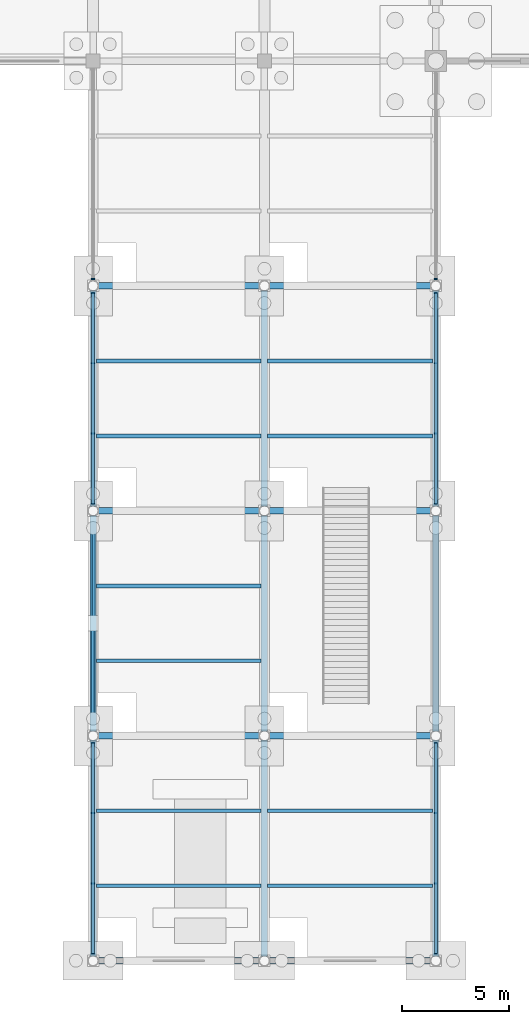
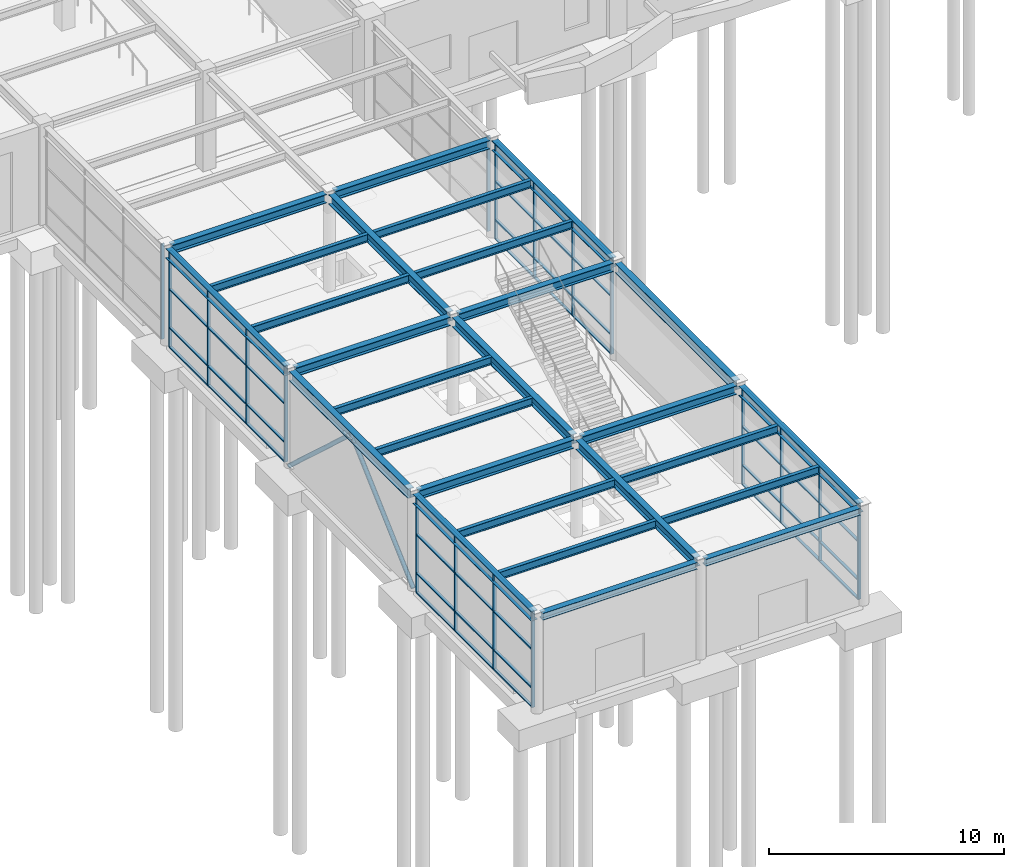
# One storey, part 24 of 85: 36 members, 27 beams, 6 elements without a shape of their own.
"""IFC4 building model written with IfcOpenShell, lengths in metres."""

from ifc_helpers import new_model, si_unit, direction, frame, origin, origin_2d, place, context, subcontext, project, spatial, rectangle, hollow_circle, i_section, extrude, material, layer, layer_set, material_profile, profile_set, type_object, element, aggregate, save


model = new_model("IFC4")

# Units and contexts
model_context = context("Model", 3, precision=1e-05, world=origin(), true_north=direction((0.0, 1.0)))
body_context = subcontext(model_context, "Body", "Model", "MODEL_VIEW")
ifc_project = project(units=[si_unit("LENGTHUNIT", "METRE"), si_unit("AREAUNIT", "SQUARE_METRE"), si_unit("VOLUMEUNIT", "CUBIC_METRE"), si_unit("PLANEANGLEUNIT", "RADIAN"), si_unit("MASSUNIT", "GRAM", prefix="KILO")], contexts=[model_context])

# Site, building, storey
site_placement = place(None, origin())
site = spatial("IfcSite", under=ifc_project, at=site_placement, CompositionType="ELEMENT")
building_placement = place(site_placement, origin())
building = spatial("IfcBuilding", under=site, at=building_placement, Name="Keelwater Ferry Terminal", CompositionType="ELEMENT")
storey_placement = place(building_placement, origin())
storey = spatial("IfcBuildingStorey", under=building, at=storey_placement, Name="L00", CompositionType="ELEMENT", Elevation=0.0)

# Members
ifc_material_1 = material(Name="Steel S355", Category="steel")
ifc_material_profile_1 = material_profile(ifc_material_1, hollow_circle(Radius=0.109619140625, WallThickness=0.010009765625, at=origin_2d()), Name="CHS 219.1x10")
ifc_profile_set_1 = profile_set([ifc_material_profile_1], Name="Steel S355")
member_type_1 = type_object("IfcMemberType", Name="BR4 CHS 219.1x10", PredefinedType="BRACE", material=ifc_profile_set_1)
for number, where, z_axis, x_axis, name in (
    (1, (32.0, 10.5, 0.0), (0.0, 0.737324908728, 0.675538288307), (-1.0, 0.0, 0.0), "Structural Member MB-L00-0589"),
    (2, (32.0, 21.0, 0.0), (0.0, -0.737324908728, 0.675538288307), (1.0, 0.0, 0.0), "Structural Member MB-L00-0590"),
):
    element("IfcMember", number, at=place(storey_placement, frame(where, z_axis=z_axis, x_axis=x_axis)), inside=storey, type_object=member_type_1, Name=name, PredefinedType="BRACE", context=body_context, shape_type="SweptSolid", body=[
        extrude(hollow_circle(Radius=0.109619140625, WallThickness=0.010009765625, at=origin_2d()), origin(), (0.0, 0.0, 1.0), 7.120361328125),
    ])

# Curtain wall, members
ifc_material_2 = material(Name="Thermally broken unitised aluminium and triple glass", Category="aluminium")
ifc_layer_1 = layer(ifc_material_2, 0.179931640625)
ifc_layer_set_1 = layer_set([ifc_layer_1], Name="Thermally broken unitised aluminium and triple glass")
curtain_wall_type_1 = type_object("IfcCurtainWallType", Name="CW-08 Unitised Curtain Wall 9842x4950", PredefinedType="USERDEFINED", material=ifc_layer_set_1)
curtain_wall_1_placement = place(storey_placement, origin())
curtain_wall_1 = element("IfcCurtainWall", 3, at=curtain_wall_1_placement, inside=storey, type_object=curtain_wall_type_1, Name="Unitised Curtain Wall CW-L00-047", ObjectType="UNITISED CURTAIN WALL", PredefinedType="USERDEFINED")
ifc_material_3 = material(Name="Aluminium mullion", Category="aluminium")
ifc_material_profile_2 = material_profile(ifc_material_3, rectangle(XDim=0.06005859375, YDim=0.14990234375, at=origin_2d()), Name="CWM-03")
ifc_profile_set_2 = profile_set([ifc_material_profile_2], Name="Aluminium mullion")
member_type_2 = type_object("IfcMemberType", Name="CWM-03 Curtain Mullion 60x150", PredefinedType="MULLION", material=ifc_profile_set_2)
member_1_placement = place(storey_placement, frame((32.0, 0.3291015625, 0.0), z_axis=(0.0, 0.0, 1.0), x_axis=(0.0, 1.0, 0.0)))
member_1 = element("IfcMember", 4, at=member_1_placement, type_object=member_type_2, Name="CW-L00-047 Mullion 1", PredefinedType="MULLION", context=body_context, shape_type="SweptSolid", body=[
    extrude(rectangle(XDim=0.06005859375, YDim=0.14990234375, at=origin_2d()), origin(), (0.0, 0.0, 1.0), 4.949951171875),
])
member_2_placement = place(storey_placement, frame((32.0, 3.609619140625, 0.0), z_axis=(0.0, 0.0, 1.0), x_axis=(0.0, 1.0, 0.0)))
member_2 = element("IfcMember", 5, at=member_2_placement, type_object=member_type_2, Name="CW-L00-047 Mullion 2", PredefinedType="MULLION", context=body_context, shape_type="SweptSolid", body=[
    extrude(rectangle(XDim=0.06005859375, YDim=0.14990234375, at=origin_2d()), origin(), (0.0, 0.0, 1.0), 4.949951171875),
])
member_3_placement = place(storey_placement, frame((32.0, 6.890380859375, 0.0), z_axis=(0.0, 0.0, 1.0), x_axis=(0.0, 1.0, 0.0)))
member_3 = element("IfcMember", 6, at=member_3_placement, type_object=member_type_2, Name="CW-L00-047 Mullion 3", PredefinedType="MULLION", context=body_context, shape_type="SweptSolid", body=[
    extrude(rectangle(XDim=0.06005859375, YDim=0.14990234375, at=origin_2d()), origin(), (0.0, 0.0, 1.0), 4.949951171875),
])
member_4_placement = place(storey_placement, frame((32.0, 10.1708984375, 0.0), z_axis=(0.0, 0.0, 1.0), x_axis=(0.0, 1.0, 0.0)))
member_4 = element("IfcMember", 7, at=member_4_placement, type_object=member_type_2, Name="CW-L00-047 Mullion 4", PredefinedType="MULLION", context=body_context, shape_type="SweptSolid", body=[
    extrude(rectangle(XDim=0.06005859375, YDim=0.14990234375, at=origin_2d()), origin(), (0.0, 0.0, 1.0), 4.949951171875),
])

curtain_wall_2_placement = place(storey_placement, origin())
curtain_wall_2 = element("IfcCurtainWall", 8, at=curtain_wall_2_placement, inside=storey, type_object=curtain_wall_type_1, Name="Unitised Curtain Wall CW-L00-049", ObjectType="UNITISED CURTAIN WALL", PredefinedType="USERDEFINED")
member_5_placement = place(storey_placement, frame((32.0, 21.3291015625, 0.0), z_axis=(0.0, 0.0, 1.0), x_axis=(0.0, 1.0, 0.0)))
member_5 = element("IfcMember", 9, at=member_5_placement, type_object=member_type_2, Name="CW-L00-049 Mullion 1", PredefinedType="MULLION", context=body_context, shape_type="SweptSolid", body=[
    extrude(rectangle(XDim=0.06005859375, YDim=0.14990234375, at=origin_2d()), origin(), (0.0, 0.0, 1.0), 4.949951171875),
])
member_6_placement = place(storey_placement, frame((32.0, 24.609619140625, 0.0), z_axis=(0.0, 0.0, 1.0), x_axis=(0.0, 1.0, 0.0)))
member_6 = element("IfcMember", 10, at=member_6_placement, type_object=member_type_2, Name="CW-L00-049 Mullion 2", PredefinedType="MULLION", context=body_context, shape_type="SweptSolid", body=[
    extrude(rectangle(XDim=0.06005859375, YDim=0.14990234375, at=origin_2d()), origin(), (0.0, 0.0, 1.0), 4.949951171875),
])
member_7_placement = place(storey_placement, frame((32.0, 27.890380859375, 0.0), z_axis=(0.0, 0.0, 1.0), x_axis=(0.0, 1.0, 0.0)))
member_7 = element("IfcMember", 11, at=member_7_placement, type_object=member_type_2, Name="CW-L00-049 Mullion 3", PredefinedType="MULLION", context=body_context, shape_type="SweptSolid", body=[
    extrude(rectangle(XDim=0.06005859375, YDim=0.14990234375, at=origin_2d()), origin(), (0.0, 0.0, 1.0), 4.949951171875),
])
member_8_placement = place(storey_placement, frame((32.0, 31.1708984375, 0.0), z_axis=(0.0, 0.0, 1.0), x_axis=(0.0, 1.0, 0.0)))
member_8 = element("IfcMember", 12, at=member_8_placement, type_object=member_type_2, Name="CW-L00-049 Mullion 4", PredefinedType="MULLION", context=body_context, shape_type="SweptSolid", body=[
    extrude(rectangle(XDim=0.06005859375, YDim=0.14990234375, at=origin_2d()), origin(), (0.0, 0.0, 1.0), 4.949951171875),
])

# Curtain wall, member
ifc_material_4 = material(Name="Thermally broken unitised aluminium and triple glass", Category="aluminium")
ifc_layer_2 = layer(ifc_material_4, 0.179931640625)
ifc_layer_set_2 = layer_set([ifc_layer_2], Name="Thermally broken unitised aluminium and triple glass")
curtain_wall_type_2 = type_object("IfcCurtainWallType", Name="CW-10 Unitised Curtain Wall 9771x4950", PredefinedType="USERDEFINED", material=ifc_layer_set_2)
curtain_wall_3_placement = place(storey_placement, origin())
curtain_wall_3 = element("IfcCurtainWall", 13, at=curtain_wall_3_placement, inside=storey, type_object=curtain_wall_type_2, Name="Unitised Curtain Wall CW-L00-051", ObjectType="UNITISED CURTAIN WALL", PredefinedType="USERDEFINED")
member_9_placement = place(storey_placement, frame((32.0, 31.8291015625, 0.0), z_axis=(0.0, 0.0, 1.0), x_axis=(0.0, 1.0, 0.0)))
member_9 = element("IfcMember", 14, at=member_9_placement, type_object=member_type_2, Name="CW-L00-051 Mullion 1", PredefinedType="MULLION", context=body_context, shape_type="SweptSolid", body=[
    extrude(rectangle(XDim=0.06005859375, YDim=0.14990234375, at=origin_2d()), origin(), (0.0, 0.0, 1.0), 4.949951171875),
])
aggregate(curtain_wall_3, [member_9])

# Curtain wall, members
curtain_wall_4_placement = place(storey_placement, origin())
curtain_wall_4 = element("IfcCurtainWall", 15, at=curtain_wall_4_placement, inside=storey, type_object=curtain_wall_type_1, Name="Unitised Curtain Wall CW-L00-053", ObjectType="UNITISED CURTAIN WALL", PredefinedType="USERDEFINED")
member_10_placement = place(storey_placement, frame((48.0, 0.3291015625, 0.0), z_axis=(0.0, 0.0, 1.0), x_axis=(0.0, 1.0, 0.0)))
member_10 = element("IfcMember", 16, at=member_10_placement, type_object=member_type_2, Name="CW-L00-053 Mullion 1", PredefinedType="MULLION", context=body_context, shape_type="SweptSolid", body=[
    extrude(rectangle(XDim=0.06005859375, YDim=0.14990234375, at=origin_2d()), origin(), (0.0, 0.0, 1.0), 4.949951171875),
])
member_11_placement = place(storey_placement, frame((48.0, 3.609619140625, 0.0), z_axis=(0.0, 0.0, 1.0), x_axis=(0.0, 1.0, 0.0)))
member_11 = element("IfcMember", 17, at=member_11_placement, type_object=member_type_2, Name="CW-L00-053 Mullion 2", PredefinedType="MULLION", context=body_context, shape_type="SweptSolid", body=[
    extrude(rectangle(XDim=0.06005859375, YDim=0.14990234375, at=origin_2d()), origin(), (0.0, 0.0, 1.0), 4.949951171875),
])
member_12_placement = place(storey_placement, frame((48.0, 6.890380859375, 0.0), z_axis=(0.0, 0.0, 1.0), x_axis=(0.0, 1.0, 0.0)))
member_12 = element("IfcMember", 18, at=member_12_placement, type_object=member_type_2, Name="CW-L00-053 Mullion 3", PredefinedType="MULLION", context=body_context, shape_type="SweptSolid", body=[
    extrude(rectangle(XDim=0.06005859375, YDim=0.14990234375, at=origin_2d()), origin(), (0.0, 0.0, 1.0), 4.949951171875),
])
member_13_placement = place(storey_placement, frame((48.0, 10.1708984375, 0.0), z_axis=(0.0, 0.0, 1.0), x_axis=(0.0, 1.0, 0.0)))
member_13 = element("IfcMember", 19, at=member_13_placement, type_object=member_type_2, Name="CW-L00-053 Mullion 4", PredefinedType="MULLION", context=body_context, shape_type="SweptSolid", body=[
    extrude(rectangle(XDim=0.06005859375, YDim=0.14990234375, at=origin_2d()), origin(), (0.0, 0.0, 1.0), 4.949951171875),
])

curtain_wall_5_placement = place(storey_placement, origin())
curtain_wall_5 = element("IfcCurtainWall", 20, at=curtain_wall_5_placement, inside=storey, type_object=curtain_wall_type_1, Name="Unitised Curtain Wall CW-L00-055", ObjectType="UNITISED CURTAIN WALL", PredefinedType="USERDEFINED")
member_14_placement = place(storey_placement, frame((48.0, 21.3291015625, 0.0), z_axis=(0.0, 0.0, 1.0), x_axis=(0.0, 1.0, 0.0)))
member_14 = element("IfcMember", 21, at=member_14_placement, type_object=member_type_2, Name="CW-L00-055 Mullion 1", PredefinedType="MULLION", context=body_context, shape_type="SweptSolid", body=[
    extrude(rectangle(XDim=0.06005859375, YDim=0.14990234375, at=origin_2d()), origin(), (0.0, 0.0, 1.0), 4.949951171875),
])
member_15_placement = place(storey_placement, frame((48.0, 24.609619140625, 0.0), z_axis=(0.0, 0.0, 1.0), x_axis=(0.0, 1.0, 0.0)))
member_15 = element("IfcMember", 22, at=member_15_placement, type_object=member_type_2, Name="CW-L00-055 Mullion 2", PredefinedType="MULLION", context=body_context, shape_type="SweptSolid", body=[
    extrude(rectangle(XDim=0.06005859375, YDim=0.14990234375, at=origin_2d()), origin(), (0.0, 0.0, 1.0), 4.949951171875),
])
member_16_placement = place(storey_placement, frame((48.0, 27.890380859375, 0.0), z_axis=(0.0, 0.0, 1.0), x_axis=(0.0, 1.0, 0.0)))
member_16 = element("IfcMember", 23, at=member_16_placement, type_object=member_type_2, Name="CW-L00-055 Mullion 3", PredefinedType="MULLION", context=body_context, shape_type="SweptSolid", body=[
    extrude(rectangle(XDim=0.06005859375, YDim=0.14990234375, at=origin_2d()), origin(), (0.0, 0.0, 1.0), 4.949951171875),
])
member_17_placement = place(storey_placement, frame((48.0, 31.1708984375, 0.0), z_axis=(0.0, 0.0, 1.0), x_axis=(0.0, 1.0, 0.0)))
member_17 = element("IfcMember", 24, at=member_17_placement, type_object=member_type_2, Name="CW-L00-055 Mullion 4", PredefinedType="MULLION", context=body_context, shape_type="SweptSolid", body=[
    extrude(rectangle(XDim=0.06005859375, YDim=0.14990234375, at=origin_2d()), origin(), (0.0, 0.0, 1.0), 4.949951171875),
])

# Curtain wall, member
ifc_material_5 = material(Name="Thermally broken unitised aluminium and triple glass", Category="aluminium")
ifc_layer_3 = layer(ifc_material_5, 0.179931640625)
ifc_layer_set_3 = layer_set([ifc_layer_3], Name="Thermally broken unitised aluminium and triple glass")
curtain_wall_type_3 = type_object("IfcCurtainWallType", Name="CW-12 Unitised Curtain Wall 9596x4950", PredefinedType="USERDEFINED", material=ifc_layer_set_3)
curtain_wall_6_placement = place(storey_placement, origin())
curtain_wall_6 = element("IfcCurtainWall", 25, at=curtain_wall_6_placement, inside=storey, type_object=curtain_wall_type_3, Name="Unitised Curtain Wall CW-L00-057", ObjectType="UNITISED CURTAIN WALL", PredefinedType="USERDEFINED")
member_18_placement = place(storey_placement, frame((48.0, 31.8291015625, 0.0), z_axis=(0.0, 0.0, 1.0), x_axis=(0.0, 1.0, 0.0)))
member_18 = element("IfcMember", 26, at=member_18_placement, type_object=member_type_2, Name="CW-L00-057 Mullion 1", PredefinedType="MULLION", context=body_context, shape_type="SweptSolid", body=[
    extrude(rectangle(XDim=0.06005859375, YDim=0.14990234375, at=origin_2d()), origin(), (0.0, 0.0, 1.0), 4.949951171875),
])
aggregate(curtain_wall_6, [member_18])

# Member
ifc_material_6 = material(Name="Aluminium mullion", Category="aluminium")
ifc_material_profile_3 = material_profile(ifc_material_6, rectangle(XDim=0.135009765625, YDim=0.06005859375, at=origin_2d()), Name="CWT-03")
ifc_profile_set_3 = profile_set([ifc_material_profile_3], Name="Aluminium mullion")
member_type_3 = type_object("IfcMemberType", Name="CWT-03 Curtain Transom 60x135", PredefinedType="USERDEFINED", material=ifc_profile_set_3)
member_19_placement = place(storey_placement, frame((32.0, 0.3291015625, 0.0), z_axis=(0.0, 1.0, 0.0), x_axis=(-1.0, 0.0, 0.0)))
member_19 = element("IfcMember", 27, at=member_19_placement, type_object=member_type_3, Name="CW-L00-047 Transom 1", ObjectType="TRANSOM", PredefinedType="USERDEFINED", context=body_context, shape_type="SweptSolid", body=[
    extrude(rectangle(XDim=0.135009765625, YDim=0.06005859375, at=origin_2d()), origin(), (0.0, 0.0, 1.0), 9.841796875),
])

member_20_placement = place(storey_placement, frame((32.0, 0.3291015625, 1.0), z_axis=(0.0, 1.0, 0.0), x_axis=(-1.0, 0.0, 0.0)))
member_20 = element("IfcMember", 28, at=member_20_placement, type_object=member_type_3, Name="CW-L00-047 Transom 2", ObjectType="TRANSOM", PredefinedType="USERDEFINED", context=body_context, shape_type="SweptSolid", body=[
    extrude(rectangle(XDim=0.135009765625, YDim=0.06005859375, at=origin_2d()), origin(), (0.0, 0.0, 1.0), 9.841796875),
])

member_21_placement = place(storey_placement, frame((32.0, 0.3291015625, 3.0), z_axis=(0.0, 1.0, 0.0), x_axis=(-1.0, 0.0, 0.0)))
member_21 = element("IfcMember", 29, at=member_21_placement, type_object=member_type_3, Name="CW-L00-047 Transom 3", ObjectType="TRANSOM", PredefinedType="USERDEFINED", context=body_context, shape_type="SweptSolid", body=[
    extrude(rectangle(XDim=0.135009765625, YDim=0.06005859375, at=origin_2d()), origin(), (0.0, 0.0, 1.0), 9.841796875),
])

member_22_placement = place(storey_placement, frame((32.0, 0.3291015625, 4.949951171875), z_axis=(0.0, 1.0, 0.0), x_axis=(-1.0, 0.0, 0.0)))
member_22 = element("IfcMember", 30, at=member_22_placement, type_object=member_type_3, Name="CW-L00-047 Transom 4", ObjectType="TRANSOM", PredefinedType="USERDEFINED", context=body_context, shape_type="SweptSolid", body=[
    extrude(rectangle(XDim=0.135009765625, YDim=0.06005859375, at=origin_2d()), origin(), (0.0, 0.0, 1.0), 9.841796875),
])

aggregate(curtain_wall_1, [member_1, member_2, member_3, member_4, member_19, member_20, member_21, member_22])

member_23_placement = place(storey_placement, frame((32.0, 21.3291015625, 0.0), z_axis=(0.0, 1.0, 0.0), x_axis=(-1.0, 0.0, 0.0)))
member_23 = element("IfcMember", 31, at=member_23_placement, type_object=member_type_3, Name="CW-L00-049 Transom 1", ObjectType="TRANSOM", PredefinedType="USERDEFINED", context=body_context, shape_type="SweptSolid", body=[
    extrude(rectangle(XDim=0.135009765625, YDim=0.06005859375, at=origin_2d()), origin(), (0.0, 0.0, 1.0), 9.841796875),
])

member_24_placement = place(storey_placement, frame((32.0, 21.3291015625, 1.0), z_axis=(0.0, 1.0, 0.0), x_axis=(-1.0, 0.0, 0.0)))
member_24 = element("IfcMember", 32, at=member_24_placement, type_object=member_type_3, Name="CW-L00-049 Transom 2", ObjectType="TRANSOM", PredefinedType="USERDEFINED", context=body_context, shape_type="SweptSolid", body=[
    extrude(rectangle(XDim=0.135009765625, YDim=0.06005859375, at=origin_2d()), origin(), (0.0, 0.0, 1.0), 9.841796875),
])

member_25_placement = place(storey_placement, frame((32.0, 21.3291015625, 3.0), z_axis=(0.0, 1.0, 0.0), x_axis=(-1.0, 0.0, 0.0)))
member_25 = element("IfcMember", 33, at=member_25_placement, type_object=member_type_3, Name="CW-L00-049 Transom 3", ObjectType="TRANSOM", PredefinedType="USERDEFINED", context=body_context, shape_type="SweptSolid", body=[
    extrude(rectangle(XDim=0.135009765625, YDim=0.06005859375, at=origin_2d()), origin(), (0.0, 0.0, 1.0), 9.841796875),
])

member_26_placement = place(storey_placement, frame((32.0, 21.3291015625, 4.949951171875), z_axis=(0.0, 1.0, 0.0), x_axis=(-1.0, 0.0, 0.0)))
member_26 = element("IfcMember", 34, at=member_26_placement, type_object=member_type_3, Name="CW-L00-049 Transom 4", ObjectType="TRANSOM", PredefinedType="USERDEFINED", context=body_context, shape_type="SweptSolid", body=[
    extrude(rectangle(XDim=0.135009765625, YDim=0.06005859375, at=origin_2d()), origin(), (0.0, 0.0, 1.0), 9.841796875),
])

aggregate(curtain_wall_2, [member_5, member_6, member_7, member_8, member_23, member_24, member_25, member_26])

member_27_placement = place(storey_placement, frame((48.0, 0.3291015625, 0.0), z_axis=(0.0, 1.0, 0.0), x_axis=(-1.0, 0.0, 0.0)))
member_27 = element("IfcMember", 35, at=member_27_placement, type_object=member_type_3, Name="CW-L00-053 Transom 1", ObjectType="TRANSOM", PredefinedType="USERDEFINED", context=body_context, shape_type="SweptSolid", body=[
    extrude(rectangle(XDim=0.135009765625, YDim=0.06005859375, at=origin_2d()), origin(), (0.0, 0.0, 1.0), 9.841796875),
])

member_28_placement = place(storey_placement, frame((48.0, 0.3291015625, 1.0), z_axis=(0.0, 1.0, 0.0), x_axis=(-1.0, 0.0, 0.0)))
member_28 = element("IfcMember", 36, at=member_28_placement, type_object=member_type_3, Name="CW-L00-053 Transom 2", ObjectType="TRANSOM", PredefinedType="USERDEFINED", context=body_context, shape_type="SweptSolid", body=[
    extrude(rectangle(XDim=0.135009765625, YDim=0.06005859375, at=origin_2d()), origin(), (0.0, 0.0, 1.0), 9.841796875),
])

member_29_placement = place(storey_placement, frame((48.0, 0.3291015625, 3.0), z_axis=(0.0, 1.0, 0.0), x_axis=(-1.0, 0.0, 0.0)))
member_29 = element("IfcMember", 37, at=member_29_placement, type_object=member_type_3, Name="CW-L00-053 Transom 3", ObjectType="TRANSOM", PredefinedType="USERDEFINED", context=body_context, shape_type="SweptSolid", body=[
    extrude(rectangle(XDim=0.135009765625, YDim=0.06005859375, at=origin_2d()), origin(), (0.0, 0.0, 1.0), 9.841796875),
])

member_30_placement = place(storey_placement, frame((48.0, 0.3291015625, 4.949951171875), z_axis=(0.0, 1.0, 0.0), x_axis=(-1.0, 0.0, 0.0)))
member_30 = element("IfcMember", 38, at=member_30_placement, type_object=member_type_3, Name="CW-L00-053 Transom 4", ObjectType="TRANSOM", PredefinedType="USERDEFINED", context=body_context, shape_type="SweptSolid", body=[
    extrude(rectangle(XDim=0.135009765625, YDim=0.06005859375, at=origin_2d()), origin(), (0.0, 0.0, 1.0), 9.841796875),
])

aggregate(curtain_wall_4, [member_10, member_11, member_12, member_13, member_27, member_28, member_29, member_30])

member_31_placement = place(storey_placement, frame((48.0, 21.3291015625, 0.0), z_axis=(0.0, 1.0, 0.0), x_axis=(-1.0, 0.0, 0.0)))
member_31 = element("IfcMember", 39, at=member_31_placement, type_object=member_type_3, Name="CW-L00-055 Transom 1", ObjectType="TRANSOM", PredefinedType="USERDEFINED", context=body_context, shape_type="SweptSolid", body=[
    extrude(rectangle(XDim=0.135009765625, YDim=0.06005859375, at=origin_2d()), origin(), (0.0, 0.0, 1.0), 9.841796875),
])

member_32_placement = place(storey_placement, frame((48.0, 21.3291015625, 1.0), z_axis=(0.0, 1.0, 0.0), x_axis=(-1.0, 0.0, 0.0)))
member_32 = element("IfcMember", 40, at=member_32_placement, type_object=member_type_3, Name="CW-L00-055 Transom 2", ObjectType="TRANSOM", PredefinedType="USERDEFINED", context=body_context, shape_type="SweptSolid", body=[
    extrude(rectangle(XDim=0.135009765625, YDim=0.06005859375, at=origin_2d()), origin(), (0.0, 0.0, 1.0), 9.841796875),
])

member_33_placement = place(storey_placement, frame((48.0, 21.3291015625, 3.0), z_axis=(0.0, 1.0, 0.0), x_axis=(-1.0, 0.0, 0.0)))
member_33 = element("IfcMember", 41, at=member_33_placement, type_object=member_type_3, Name="CW-L00-055 Transom 3", ObjectType="TRANSOM", PredefinedType="USERDEFINED", context=body_context, shape_type="SweptSolid", body=[
    extrude(rectangle(XDim=0.135009765625, YDim=0.06005859375, at=origin_2d()), origin(), (0.0, 0.0, 1.0), 9.841796875),
])

member_34_placement = place(storey_placement, frame((48.0, 21.3291015625, 4.949951171875), z_axis=(0.0, 1.0, 0.0), x_axis=(-1.0, 0.0, 0.0)))
member_34 = element("IfcMember", 42, at=member_34_placement, type_object=member_type_3, Name="CW-L00-055 Transom 4", ObjectType="TRANSOM", PredefinedType="USERDEFINED", context=body_context, shape_type="SweptSolid", body=[
    extrude(rectangle(XDim=0.135009765625, YDim=0.06005859375, at=origin_2d()), origin(), (0.0, 0.0, 1.0), 9.841796875),
])

aggregate(curtain_wall_5, [member_14, member_15, member_16, member_17, member_31, member_32, member_33, member_34])

# Beams
ifc_material_7 = material(Name="Steel S355", Category="steel")
ifc_material_profile_4 = material_profile(ifc_material_7, i_section(OverallWidth=0.300048828125, OverallDepth=0.5, WebThickness=0.014404296875, FlangeThickness=0.028076171875, at=origin_2d()), Name="HEB 500")
ifc_profile_set_4 = profile_set([ifc_material_profile_4], Name="Steel S355")
beam_type_1 = type_object("IfcBeamType", Name="G5 HEB 500", PredefinedType="BEAM", material=ifc_profile_set_4)
for number, where, z_axis, x_axis, name in (
    (43, (40.0, 0.2080078125, 4.81005859375), (0.0, 1.0, 0.0), (-1.0, 0.0, 0.0), "Beam BM-L00-0174"),
    (44, (40.0, 10.7080078125, 4.81005859375), (0.0, 1.0, 0.0), (-1.0, 0.0, 0.0), "Beam BM-L00-0175"),
    (45, (40.0, 21.2080078125, 4.81005859375), (0.0, 1.0, 0.0), (-1.0, 0.0, 0.0), "Beam BM-L00-0176"),
):
    element("IfcBeam", number, at=place(storey_placement, frame(where, z_axis=z_axis, x_axis=x_axis)), inside=storey, type_object=beam_type_1, Name=name, PredefinedType="BEAM", context=body_context, shape_type="SweptSolid", body=[
        extrude(i_section(OverallWidth=0.300048828125, OverallDepth=0.5, WebThickness=0.014404296875, FlangeThickness=0.028076171875, at=origin_2d()), origin(), (0.0, 0.0, 1.0), 10.083984375),
    ])
ifc_material_8 = material(Name="Steel S355", Category="steel")
ifc_material_profile_5 = material_profile(ifc_material_8, i_section(OverallWidth=0.300048828125, OverallDepth=0.5, WebThickness=0.014404296875, FlangeThickness=0.028076171875, at=origin_2d()), Name="HEB 500")
ifc_profile_set_5 = profile_set([ifc_material_profile_5], Name="Steel S355")
beam_type_2 = type_object("IfcBeamType", Name="G5E HEB 500", PredefinedType="BEAM", material=ifc_profile_set_5)
for number, where, z_axis, x_axis, name in (
    (46, (32.0, 0.2080078125, 4.81005859375), (0.0, 1.0, 0.0), (-1.0, 0.0, 0.0), "Beam BM-L00-0164"),
    (47, (32.0, 10.7080078125, 4.81005859375), (0.0, 1.0, 0.0), (-1.0, 0.0, 0.0), "Beam BM-L00-0165"),
    (48, (32.0, 21.2080078125, 4.81005859375), (0.0, 1.0, 0.0), (-1.0, 0.0, 0.0), "Beam BM-L00-0166"),
    (49, (48.0, 0.2080078125, 4.81005859375), (0.0, 1.0, 0.0), (-1.0, 0.0, 0.0), "Beam BM-L00-0184"),
    (50, (48.0, 10.7080078125, 4.81005859375), (0.0, 1.0, 0.0), (-1.0, 0.0, 0.0), "Beam BM-L00-0185"),
    (51, (48.0, 21.2080078125, 4.81005859375), (0.0, 1.0, 0.0), (-1.0, 0.0, 0.0), "Beam BM-L00-0186"),
):
    element("IfcBeam", number, at=place(storey_placement, frame(where, z_axis=z_axis, x_axis=x_axis)), inside=storey, type_object=beam_type_2, Name=name, PredefinedType="BEAM", context=body_context, shape_type="SweptSolid", body=[
        extrude(i_section(OverallWidth=0.300048828125, OverallDepth=0.5, WebThickness=0.014404296875, FlangeThickness=0.028076171875, at=origin_2d()), origin(), (0.0, 0.0, 1.0), 10.083984375),
    ])
ifc_material_9 = material(Name="Steel S355", Category="steel")
ifc_material_profile_6 = material_profile(ifc_material_9, i_section(OverallWidth=0.300048828125, OverallDepth=0.449951171875, WebThickness=0.013916015625, FlangeThickness=0.02587890625, at=origin_2d()), Name="HEB 450")
ifc_profile_set_6 = profile_set([ifc_material_profile_6], Name="Steel S355")
beam_type_3 = type_object("IfcBeamType", Name="G6 HEB 450", PredefinedType="BEAM", material=ifc_profile_set_6)
for number, where, z_axis, x_axis, name in (
    (52, (32.2080078125, 10.5, 4.8349609375), (1.0, 0.0, 0.0), (0.0, 1.0, 0.0), "Beam BM-L00-0005"),
    (53, (40.2080078125, 10.5, 4.8349609375), (1.0, 0.0, 0.0), (0.0, 1.0, 0.0), "Beam BM-L00-0006"),
    (54, (32.2080078125, 21.0, 4.8349609375), (1.0, 0.0, 0.0), (0.0, 1.0, 0.0), "Beam BM-L00-0009"),
    (55, (40.2080078125, 21.0, 4.8349609375), (1.0, 0.0, 0.0), (0.0, 1.0, 0.0), "Beam BM-L00-0010"),
    (56, (32.2080078125, 31.5, 4.8349609375), (1.0, 0.0, 0.0), (0.0, 1.0, 0.0), "Beam BM-L00-0013"),
    (57, (40.2080078125, 31.5, 4.8349609375), (1.0, 0.0, 0.0), (0.0, 1.0, 0.0), "Beam BM-L00-0014"),
):
    element("IfcBeam", number, at=place(storey_placement, frame(where, z_axis=z_axis, x_axis=x_axis)), inside=storey, type_object=beam_type_3, Name=name, PredefinedType="BEAM", context=body_context, shape_type="SweptSolid", body=[
        extrude(i_section(OverallWidth=0.300048828125, OverallDepth=0.449951171875, WebThickness=0.013916015625, FlangeThickness=0.02587890625, at=origin_2d()), origin(), (0.0, 0.0, 1.0), 7.583984375),
    ])
ifc_material_10 = material(Name="Steel S355", Category="steel")
ifc_material_profile_7 = material_profile(ifc_material_10, i_section(OverallWidth=0.179931640625, OverallDepth=0.39990234375, WebThickness=0.008544921875, FlangeThickness=0.013427734375, at=origin_2d()), Name="IPE 400")
ifc_profile_set_7 = profile_set([ifc_material_profile_7], Name="Steel S355")
beam_type_4 = type_object("IfcBeamType", Name="J5 IPE 400", PredefinedType="JOIST", material=ifc_profile_set_7)
for number, where, z_axis, x_axis, name in (
    (58, (32.14990234375, 3.5, 4.860107421875), (1.0, 0.0, 0.0), (0.0, 1.0, 0.0), "Beam BM-L00-0318"),
    (59, (32.14990234375, 7.0, 4.860107421875), (1.0, 0.0, 0.0), (0.0, 1.0, 0.0), "Beam BM-L00-0319"),
    (60, (32.14990234375, 14.0, 4.860107421875), (1.0, 0.0, 0.0), (0.0, 1.0, 0.0), "Beam BM-L00-0320"),
    (61, (32.14990234375, 17.5, 4.860107421875), (1.0, 0.0, 0.0), (0.0, 1.0, 0.0), "Beam BM-L00-0321"),
    (62, (32.14990234375, 24.5, 4.860107421875), (1.0, 0.0, 0.0), (0.0, 1.0, 0.0), "Beam BM-L00-0322"),
    (63, (32.14990234375, 28.0, 4.860107421875), (1.0, 0.0, 0.0), (0.0, 1.0, 0.0), "Beam BM-L00-0323"),
    (64, (40.14990234375, 3.5, 4.860107421875), (1.0, 0.0, 0.0), (0.0, 1.0, 0.0), "Beam BM-L00-0336"),
    (65, (40.14990234375, 7.0, 4.860107421875), (1.0, 0.0, 0.0), (0.0, 1.0, 0.0), "Beam BM-L00-0337"),
    (66, (40.14990234375, 24.5, 4.860107421875), (1.0, 0.0, 0.0), (0.0, 1.0, 0.0), "Beam BM-L00-0338"),
    (67, (40.14990234375, 28.0, 4.860107421875), (1.0, 0.0, 0.0), (0.0, 1.0, 0.0), "Beam BM-L00-0339"),
):
    element("IfcBeam", number, at=place(storey_placement, frame(where, z_axis=z_axis, x_axis=x_axis)), inside=storey, type_object=beam_type_4, Name=name, PredefinedType="JOIST", context=body_context, shape_type="SweptSolid", body=[
        extrude(i_section(OverallWidth=0.179931640625, OverallDepth=0.39990234375, WebThickness=0.008544921875, FlangeThickness=0.013427734375, at=origin_2d()), origin(), (0.0, 0.0, 1.0), 7.7001953125),
    ])
ifc_material_11 = material(Name="Steel S355", Category="steel")
ifc_material_profile_8 = material_profile(ifc_material_11, i_section(OverallWidth=0.300048828125, OverallDepth=0.35009765625, WebThickness=0.010009765625, FlangeThickness=0.017578125, at=origin_2d()), Name="HEA 360")
ifc_profile_set_8 = profile_set([ifc_material_profile_8], Name="Steel S355")
beam_type_5 = type_object("IfcBeamType", Name="SP1E HEA 360", PredefinedType="SPANDREL", material=ifc_profile_set_8)
for number, where, z_axis, x_axis, name in (
    (68, (32.2080078125, 0.0, 4.885009765625), (1.0, 0.0, 0.0), (0.0, 1.0, 0.0), "Beam BM-L00-0001"),
    (69, (40.2080078125, 0.0, 4.885009765625), (1.0, 0.0, 0.0), (0.0, 1.0, 0.0), "Beam BM-L00-0002"),
):
    element("IfcBeam", number, at=place(storey_placement, frame(where, z_axis=z_axis, x_axis=x_axis)), inside=storey, type_object=beam_type_5, Name=name, PredefinedType="SPANDREL", context=body_context, shape_type="SweptSolid", body=[
        extrude(i_section(OverallWidth=0.300048828125, OverallDepth=0.35009765625, WebThickness=0.010009765625, FlangeThickness=0.017578125, at=origin_2d()), origin(), (0.0, 0.0, 1.0), 7.583984375),
    ])

save(model, "model.ifc")
